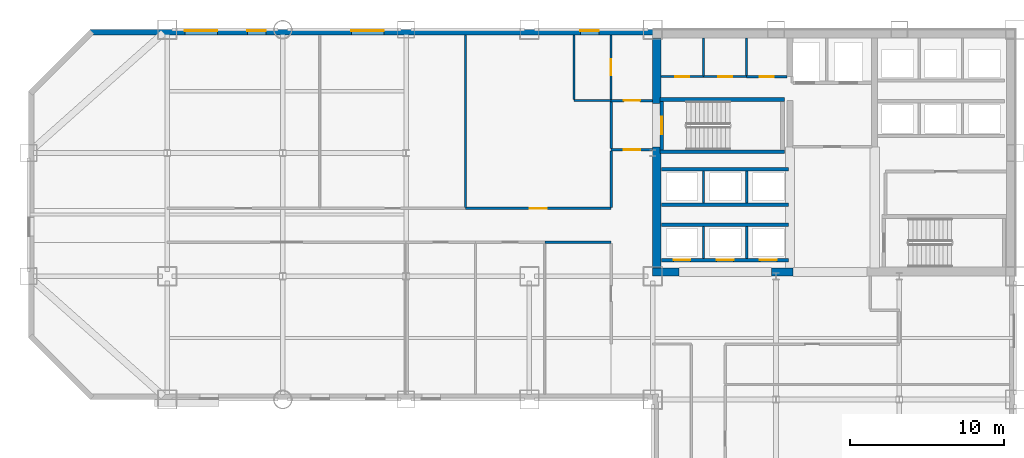
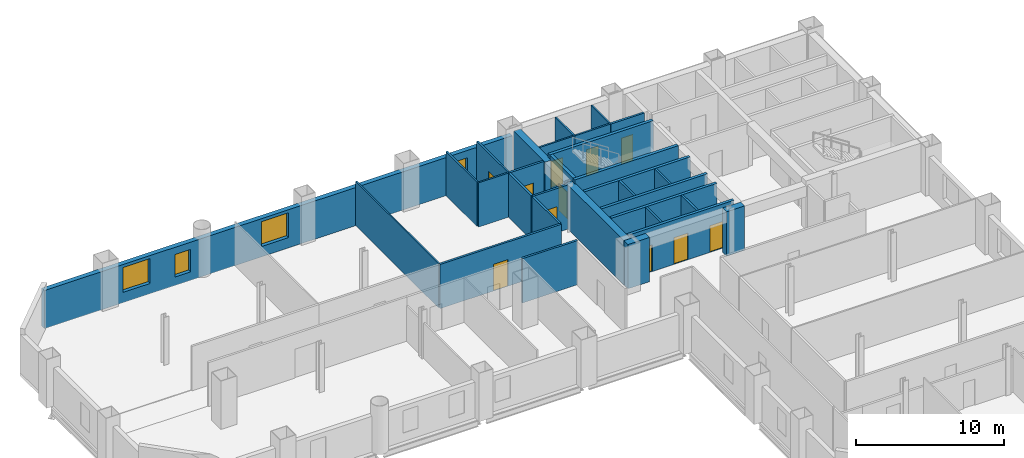
# One storey, part 6 of 9: 31 walls, 11 doors, 4 windows, 15 openings.
"""IFC4 building model written with IfcOpenShell, lengths in metres."""

import ifcopenshell
import ifcopenshell.guid

model = None  # the IFC model being written
_history = None  # IfcOwnerHistory: only IFC2X3 demands one
_inside = {}  # id of a spatial element -> (the spatial element, [elements in it])
_under = {}  # id of a project, library or spatial element -> (it, [spatial elements below it])
_declared = {}  # id of a project -> (the project, [libraries it declares])
_typed = {}  # id of a type object -> (the type object, [elements of that type])
_made_of = {}  # id of a material, layer set ... -> (it, [elements and type objects made of it])


def new_model(schema):
    """Start an empty IFC model of exactly this schema.

    Asked for "IFC4X3", IfcOpenShell would pick the latest addendum, in which some entities
    have other attributes; the version numbers below select the first issue.
    IFC2X3 requires an IfcOwnerHistory on every rooted entity: one is made here for all.
    """
    global model, _history
    if schema == "IFC4X3":
        model = ifcopenshell.file(schema_version=(4, 3, 0, 0))
    else:
        model = ifcopenshell.file(schema=schema)
    _inside.clear()
    _under.clear()
    _declared.clear()
    _typed.clear()
    _made_of.clear()
    _history = None
    if model.schema == "IFC2X3":
        org = make("IfcOrganization", Name="unknown")
        user = make(
            "IfcPersonAndOrganization",
            ThePerson=make("IfcPerson", FamilyName="unknown"),
            TheOrganization=org,
        )
        app = make(
            "IfcApplication",
            ApplicationDeveloper=org,
            Version="unknown",
            ApplicationFullName="unknown",
            ApplicationIdentifier="unknown",
        )
        _history = make(
            "IfcOwnerHistory",
            OwningUser=user,
            OwningApplication=app,
            ChangeAction="ADDED",
            CreationDate=0,
        )
    return model


def make(cls, **values):
    """One entity of the class cls with the attributes given. An attribute that is None is left unset."""
    return model.create_entity(
        cls, **{name: value for name, value in values.items() if value is not None}
    )


def rooted(cls, **values):
    """An entity with a GlobalId (a new one), such as an element, a storey or a relation."""
    return make(cls, GlobalId=ifcopenshell.guid.new(), OwnerHistory=_history, **values)


def si_unit(unit_type, name, prefix=None):
    """IfcSIUnit, for example si_unit("LENGTHUNIT", "METRE", prefix="MILLI")."""
    return make("IfcSIUnit", UnitType=unit_type, Prefix=prefix, Name=name)


def assignment(units):
    """IfcUnitAssignment: the units of a project."""
    return None if units is None else make("IfcUnitAssignment", Units=units)


def point(xyz):
    """IfcCartesianPoint."""
    return None if xyz is None else make("IfcCartesianPoint", Coordinates=xyz)


def direction(xyz):
    """IfcDirection."""
    return None if xyz is None else make("IfcDirection", DirectionRatios=xyz)


def frame(location, z_axis=None, x_axis=None):
    """IfcAxis2Placement3D, a coordinate frame: its origin and axes. An axis left out is left unset."""
    return make(
        "IfcAxis2Placement3D",
        Location=point(location),
        Axis=direction(z_axis),
        RefDirection=direction(x_axis),
    )


def frame_2d(location, x_axis=None):
    """IfcAxis2Placement2D, a coordinate frame in the plane: its origin and x axis."""
    return make(
        "IfcAxis2Placement2D", Location=point(location), RefDirection=direction(x_axis)
    )


def origin():
    """The frame at (0, 0, 0) with its axes left unset."""
    return frame((0.0, 0.0, 0.0))


def place(relative_to, where):
    """IfcLocalPlacement: puts the frame where relative to a parent placement (None: the world)."""
    return make(
        "IfcLocalPlacement", PlacementRelTo=relative_to, RelativePlacement=where
    )


def context(
    kind, dimensions, precision=None, world=None, true_north=None, identifier=None
):
    """IfcGeometricRepresentationContext, for example the 3D "Model" context."""
    return make(
        "IfcGeometricRepresentationContext",
        ContextIdentifier=identifier,
        ContextType=kind,
        CoordinateSpaceDimension=dimensions,
        Precision=precision,
        WorldCoordinateSystem=world,
        TrueNorth=true_north,
    )


def subcontext(parent, identifier, kind, view, scale=None):
    """IfcGeometricRepresentationSubContext, for example "Body" below "Model"."""
    return make(
        "IfcGeometricRepresentationSubContext",
        ContextIdentifier=identifier,
        ContextType=kind,
        ParentContext=parent,
        TargetScale=scale,
        TargetView=view,
    )


def project(units=None, contexts=None):
    """IfcProject with its units and contexts."""
    return rooted(
        "IfcProject",
        Name="project",
        RepresentationContexts=contexts,
        UnitsInContext=assignment(units),
    )


def spatial(cls, under=None, at=None, **own):
    """A site, building, storey or space (cls), placed at a placement, below another one or the project."""
    s = rooted(cls, ObjectPlacement=at, **own)
    if under is not None:
        _under.setdefault(under.id(), (under, []))[1].append(s)
    return s


def profile(cls, at=None, kind="AREA", **sizes):
    """A parametric profile (cls). Its sizes go by their IFC names, for example OverallWidth=200.0."""
    return make(cls, ProfileType=kind, Position=at, **sizes)


def rectangle(**sizes):
    """IfcRectangleProfileDef."""
    return profile("IfcRectangleProfileDef", **sizes)


def extrude(swept, where, along, depth):
    """IfcExtrudedAreaSolid: the profile swept, set in the frame where, extruded along a direction by depth."""
    return make(
        "IfcExtrudedAreaSolid",
        SweptArea=swept,
        Position=where,
        ExtrudedDirection=direction(along),
        Depth=depth,
    )


def shape(context_of_items, identifier, shape_type, items):
    """IfcShapeRepresentation: the items that make up one representation, for example the "Body"."""
    return make(
        "IfcShapeRepresentation",
        ContextOfItems=context_of_items,
        RepresentationIdentifier=identifier,
        RepresentationType=shape_type,
        Items=items,
    )


def material(Name=None, Category=None):
    """IfcMaterial."""
    return make("IfcMaterial", Name=Name, Category=Category)


def layer(
    of_material, thickness, ventilated=None, Name=None, Category=None, Priority=None
):
    """IfcMaterialLayer: one layer of a wall or slab, of a material (None: an air gap)."""
    return make(
        "IfcMaterialLayer",
        Material=of_material,
        LayerThickness=thickness,
        IsVentilated=ventilated,
        Name=Name,
        Category=Category,
        Priority=Priority,
    )


def layer_set(layers, Name=None):
    """IfcMaterialLayerSet."""
    return make("IfcMaterialLayerSet", MaterialLayers=layers, LayerSetName=Name)


def made_of(thing, what):
    """Note that an element or type object is made of a material, layer set ...; save() writes the relation."""
    if what is not None:
        _made_of.setdefault(what.id(), (what, []))[1].append(thing)
    return thing


def type_object(cls, material=None, **own):
    """A type object (cls), such as IfcWallType, which elements share."""
    return made_of(rooted(cls, **own), material)


def element(
    cls,
    number,
    at=None,
    inside=None,
    cuts=None,
    type_object=None,
    material=None,
    context=None,
    identifier="Body",
    shape_type=None,
    held_by="IfcProductDefinitionShape",
    body=None,
    shapes=None,
    **own,
):
    """One element of the class cls, such as IfcWall. Its Tag is "e" and its number.

    at: its placement. inside: the storey or other place that contains it. cuts: it is an
    opening in that element (IfcRelVoidsElement). A single representation is given by context,
    identifier, shape_type and body (its items); several are given by shapes. held_by: the class
    of the entity that holds the representations. save() writes the other relations.
    """
    e = rooted(cls, Tag="e%d" % number, ObjectPlacement=at, **own)
    if body is not None:
        shapes = [shape(context, identifier, shape_type, body)]
    if shapes is not None:
        e.Representation = make(held_by, Representations=shapes)
    if inside is not None:
        _inside.setdefault(inside.id(), (inside, []))[1].append(e)
    if cuts is not None:
        rooted(
            "IfcRelVoidsElement", RelatingBuildingElement=cuts, RelatedOpeningElement=e
        )
    if type_object is not None:
        _typed.setdefault(type_object.id(), (type_object, []))[1].append(e)
    return made_of(e, material)


def fill(opening, filler):
    """IfcRelFillsElement: the door or window that sits in an opening."""
    return rooted(
        "IfcRelFillsElement",
        RelatingOpeningElement=opening,
        RelatedBuildingElement=filler,
    )


def aggregate(whole, parts):
    """IfcRelAggregates: a whole, such as a stair, and the parts it consists of."""
    return rooted("IfcRelAggregates", RelatingObject=whole, RelatedObjects=parts)


def save(model, path):
    """Write the relations noted so far, then the file.

    IfcRelAggregates (storeys below a building ...), IfcRelContainedInSpatialStructure (elements
    in a storey), IfcRelDefinesByType, IfcRelAssociatesMaterial and IfcRelDeclares: one each for
    every whole, place, type object, material and project.
    """
    for whole, parts in _under.values():
        aggregate(whole, parts)
    for where, things in _inside.values():
        rooted(
            "IfcRelContainedInSpatialStructure",
            RelatedElements=things,
            RelatingStructure=where,
        )
    for kind, things in _typed.values():
        rooted("IfcRelDefinesByType", RelatedObjects=things, RelatingType=kind)
    for what, things in _made_of.values():
        rooted("IfcRelAssociatesMaterial", RelatedObjects=things, RelatingMaterial=what)
    for by, libraries in _declared.values():
        rooted("IfcRelDeclares", RelatingContext=by, RelatedDefinitions=libraries)
    model.write(path)


model = new_model("IFC4")

# Units and contexts
model_context = context("Model", 3, precision=1e-05, world=origin(), true_north=direction((0.0, 1.0)))
body_context = subcontext(model_context, "Body", "Model", "MODEL_VIEW")
ifc_project = project(units=[si_unit("LENGTHUNIT", "METRE"), si_unit("AREAUNIT", "SQUARE_METRE"), si_unit("VOLUMEUNIT", "CUBIC_METRE"), si_unit("PLANEANGLEUNIT", "RADIAN"), si_unit("MASSUNIT", "GRAM", prefix="KILO")], contexts=[model_context])

# Site, building, storey
site_placement = place(None, origin())
site = spatial("IfcSite", under=ifc_project, at=site_placement, CompositionType="ELEMENT")
building_placement = place(site_placement, origin())
building = spatial("IfcBuilding", under=site, at=building_placement, Name="Qianrong Seaharbour Tower", CompositionType="ELEMENT")
storey_placement = place(building_placement, frame((0.0, 0.0, 104.199951171875)))
storey = spatial("IfcBuildingStorey", under=building, at=storey_placement, Name="L25", CompositionType="ELEMENT", Elevation=104.199951171875)

# Walls
ifc_material_1 = material(Name="Concrete C70/85", Category="concrete")
ifc_layer_1 = layer(ifc_material_1, 0.5400390625)
ifc_layer_set_1 = layer_set([ifc_layer_1], Name="Concrete C70/85")
wall_type_1 = type_object("IfcWallType", Name="WALL-CORE-540", PredefinedType="SHEAR", material=ifc_layer_set_1)
wall_1_placement = place(storey_placement, frame((40.77001953125, 36.5400390625, 0.0), z_axis=(0.0, 0.0, 1.0), x_axis=(0.0, 1.0, 0.0)))
element("IfcWall", 1, at=wall_1_placement, inside=storey, type_object=wall_type_1, Name="L25 West Core Shear Wall South", PredefinedType="SHEAR", context=body_context, shape_type="SweptSolid", body=[
    extrude(rectangle(XDim=7.85986328125, YDim=0.5400390625, at=frame_2d((3.929931640625, 0.0))), origin(), (0.0, 0.0, 1.0), 3.650146484375),
])
wall_2_placement = place(storey_placement, frame((40.77001953125, 47.199951171875, 0.0), z_axis=(0.0, 0.0, 1.0), x_axis=(0.0, 1.0, 0.0)))
element("IfcWall", 2, at=wall_2_placement, inside=storey, type_object=wall_type_1, Name="L25 West Core Shear Wall North", PredefinedType="SHEAR", context=body_context, shape_type="SweptSolid", body=[
    extrude(rectangle(XDim=4.260009765625, YDim=0.5400390625, at=frame_2d((2.1298828125, 0.0))), origin(), (0.0, 0.0, 1.0), 3.650146484375),
])
wall_3_placement = place(storey_placement, frame((40.5, 36.27001953125, 0.0), z_axis=(0.0, 0.0, 1.0), x_axis=(1.0, 0.0, 0.0)))
element("IfcWall", 3, at=wall_3_placement, inside=storey, type_object=wall_type_1, Name="L25 South Core Shear Wall S1", PredefinedType="SHEAR", context=body_context, shape_type="SweptSolid", body=[
    extrude(rectangle(XDim=1.699951171875, YDim=0.5400390625, at=frame_2d((0.85009765625, 0.0))), origin(), (0.0, 0.0, 1.0), 3.650146484375),
])
wall_4_placement = place(storey_placement, frame((48.199951171875, 36.27001953125, 0.0), z_axis=(0.0, 0.0, 1.0), x_axis=(1.0, 0.0, 0.0)))
element("IfcWall", 4, at=wall_4_placement, inside=storey, type_object=wall_type_1, Name="L25 South Core Shear Wall S2", PredefinedType="SHEAR", context=body_context, shape_type="SweptSolid", body=[
    extrude(rectangle(XDim=1.400146484375, YDim=0.5400390625, at=frame_2d((0.7001953125, 0.0))), origin(), (0.0, 0.0, 1.0), 3.650146484375),
])

# Wall, opening, door
ifc_material_2 = material(Name="Fire-rated acoustic gypsum board partition")
ifc_layer_2 = layer(ifc_material_2, 0.1650390625)
ifc_layer_set_2 = layer_set([ifc_layer_2], Name="Fire-rated acoustic gypsum board partition")
wall_type_2 = type_object("IfcWallType", Name="WALL-CORR-PART-165", PredefinedType="PARTITIONING", material=ifc_layer_set_2)
wall_5_placement = place(storey_placement, frame((37.800048828125, 47.39990234375, 0.0), z_axis=(0.0, 0.0, 1.0), x_axis=(1.0, 0.0, 0.0)))
wall_5 = element("IfcWall", 5, at=wall_5_placement, inside=storey, type_object=wall_type_2, Name="L25 Interior Partition Wall 001", PredefinedType="PARTITIONING", context=body_context, shape_type="SweptSolid", body=[
    extrude(rectangle(XDim=2.699951171875, YDim=0.1650390625, at=frame_2d((1.35009765625, 0.0))), origin(), (0.0, 0.0, 1.0), 3.650146484375),
])
opening_1_placement = place(wall_5_placement, frame((0.824951171875, 0.0, 0.0)))
opening_1 = element("IfcOpeningElement", 6, at=opening_1_placement, cuts=wall_5, Name="Opening DC-01", PredefinedType="OPENING", context=body_context, shape_type="SweptSolid", body=[
    extrude(rectangle(XDim=1.050048828125, YDim=2.14990234375, at=frame_2d((0.52490234375, 1.074951171875))), frame((0.0, 0.092529296875, 0.0), z_axis=(0.0, -1.0, 0.0), x_axis=(1.0, 0.0, 0.0)), (0.0, 0.0, 1.0), 0.18505859375),
])
ifc_material_3 = material(Name="Acoustic timber and galvanized steel fire door assembly", Category="steel")
door_type_1 = type_object("IfcDoorType", Name="DOOR-CORR-FD60-1050x2150", OperationType="NOTDEFINED", PredefinedType="DOOR", material=ifc_material_3)
door_1_placement = place(opening_1_placement, origin())
door_1 = element("IfcDoor", 7, at=door_1_placement, inside=storey, type_object=door_type_1, Name="L25 Smokeproof Stair Vestibule ST-1 Door", OperationType="SINGLE_SWING_LEFT", OverallHeight=2.14990234375, OverallWidth=1.050048828125, PredefinedType="DOOR", context=body_context, shape_type="SweptSolid", body=[
    extrude(rectangle(XDim=1.050048828125, YDim=2.14990234375, at=frame_2d((0.52490234375, 1.074951171875))), frame((0.0, 0.02490234375, 0.0), z_axis=(0.0, -1.0, 0.0), x_axis=(1.0, 0.0, 0.0)), (0.0, 0.0, 1.0), 0.050048828125),
])
fill(opening_1, door_1)

wall_6_placement = place(storey_placement, frame((40.5, 44.199951171875, 0.0), z_axis=(0.0, 0.0, 1.0), x_axis=(-1.0, 0.0, 0.0)))
wall_6 = element("IfcWall", 8, at=wall_6_placement, inside=storey, type_object=wall_type_2, Name="L25 Interior Partition Wall 002", PredefinedType="PARTITIONING", context=body_context, shape_type="SweptSolid", body=[
    extrude(rectangle(XDim=2.699951171875, YDim=0.1650390625, at=frame_2d((1.35009765625, 0.0))), origin(), (0.0, 0.0, 1.0), 3.650146484375),
])
opening_2_placement = place(wall_6_placement, frame((0.824951171875, 0.0, 0.0)))
opening_2 = element("IfcOpeningElement", 9, at=opening_2_placement, cuts=wall_6, Name="Opening DC-01", PredefinedType="OPENING", context=body_context, shape_type="SweptSolid", body=[
    extrude(rectangle(XDim=1.050048828125, YDim=2.14990234375, at=frame_2d((0.52490234375, 1.074951171875))), frame((0.0, 0.092529296875, 0.0), z_axis=(0.0, -1.0, 0.0), x_axis=(1.0, 0.0, 0.0)), (0.0, 0.0, 1.0), 0.18505859375),
])
door_2_placement = place(opening_2_placement, origin())
door_2 = element("IfcDoor", 10, at=door_2_placement, inside=storey, type_object=door_type_1, Name="L25 Smokeproof Stair Vestibule ST-1 Door", OperationType="SINGLE_SWING_RIGHT", OverallHeight=2.14990234375, OverallWidth=1.050048828125, PredefinedType="DOOR", context=body_context, shape_type="SweptSolid", body=[
    extrude(rectangle(XDim=1.050048828125, YDim=2.14990234375, at=frame_2d((0.52490234375, 1.074951171875))), frame((0.0, 0.02490234375, 0.0), z_axis=(0.0, -1.0, 0.0), x_axis=(1.0, 0.0, 0.0)), (0.0, 0.0, 1.0), 0.050048828125),
])
fill(opening_2, door_2)

# Wall
wall_7_placement = place(storey_placement, frame((37.800048828125, 44.2744140625, 0.0), z_axis=(0.0, 0.0, 1.0), x_axis=(0.0, 1.0, 0.0)))
element("IfcWall", 11, at=wall_7_placement, inside=storey, type_object=wall_type_2, Name="L25 Interior Partition Wall 003", PredefinedType="PARTITIONING", context=body_context, shape_type="SweptSolid", body=[
    extrude(rectangle(XDim=3.051025390625, YDim=0.1650390625, at=frame_2d((1.525390625, 0.0))), origin(), (0.0, 0.0, 1.0), 3.650146484375),
])

# Wall, opening, door
wall_8_placement = place(storey_placement, frame((46.60009765625, 48.949951171875, 0.0), z_axis=(0.0, 0.0, 1.0), x_axis=(1.0, 0.0, 0.0)))
wall_8 = element("IfcWall", 12, at=wall_8_placement, inside=storey, type_object=wall_type_2, Name="L25 Interior Partition Wall 009", PredefinedType="PARTITIONING", context=body_context, shape_type="SweptSolid", body=[
    extrude(rectangle(XDim=2.617919921875, YDim=0.1650390625, at=frame_2d((1.30908203125, 0.0))), origin(), (0.0, 0.0, 1.0), 3.650146484375),
])
opening_3_placement = place(wall_8_placement, frame((0.85888671875, 0.0, 0.0)))
opening_3 = element("IfcOpeningElement", 13, at=opening_3_placement, cuts=wall_8, Name="Opening DS-01", PredefinedType="OPENING", context=body_context, shape_type="SweptSolid", body=[
    extrude(rectangle(XDim=0.89990234375, YDim=2.14990234375, at=frame_2d((0.449951171875, 1.074951171875))), frame((0.0, 0.092529296875, 0.0), z_axis=(0.0, -1.0, 0.0), x_axis=(1.0, 0.0, 0.0)), (0.0, 0.0, 1.0), 0.18505859375),
])
door_type_2 = type_object("IfcDoorType", Name="DOOR-STORE-900x2150", OperationType="NOTDEFINED", PredefinedType="DOOR", material=ifc_material_3)
door_3_placement = place(opening_3_placement, origin())
door_3 = element("IfcDoor", 14, at=door_3_placement, inside=storey, type_object=door_type_2, Name="L25 Cleaner Store Room Door", OperationType="SINGLE_SWING_LEFT", OverallHeight=2.14990234375, OverallWidth=0.89990234375, PredefinedType="DOOR", context=body_context, shape_type="SweptSolid", body=[
    extrude(rectangle(XDim=0.89990234375, YDim=2.14990234375, at=frame_2d((0.449951171875, 1.074951171875))), frame((0.0, 0.02490234375, 0.0), z_axis=(0.0, -1.0, 0.0), x_axis=(1.0, 0.0, 0.0)), (0.0, 0.0, 1.0), 0.050048828125),
])
fill(opening_3, door_3)

wall_9_placement = place(storey_placement, frame((28.35009765625, 40.39990234375, 0.0), z_axis=(0.0, 0.0, 1.0), x_axis=(1.0, 0.0, 0.0)))
wall_9 = element("IfcWall", 15, at=wall_9_placement, inside=storey, type_object=wall_type_2, Name="L25 Interior Partition Wall 017", PredefinedType="PARTITIONING", context=body_context, shape_type="SweptSolid", body=[
    extrude(rectangle(XDim=9.449951171875, YDim=0.1650390625, at=frame_2d((4.72509765625, 0.0))), origin(), (0.0, 0.0, 1.0), 3.650146484375),
])
opening_4_placement = place(wall_9_placement, frame((4.175048828125, 0.0, 0.0)))
opening_4 = element("IfcOpeningElement", 16, at=opening_4_placement, cuts=wall_9, Name="Opening DM-01", PredefinedType="OPENING", context=body_context, shape_type="SweptSolid", body=[
    extrude(rectangle(XDim=1.10009765625, YDim=2.199951171875, at=frame_2d((0.550048828125, 1.10009765625))), frame((0.0, 0.092529296875, 0.0), z_axis=(0.0, -1.0, 0.0), x_axis=(1.0, 0.0, 0.0)), (0.0, 0.0, 1.0), 0.18505859375),
])
door_type_3 = type_object("IfcDoorType", Name="DOOR-MEET-1100x2200", OperationType="NOTDEFINED", PredefinedType="DOOR", material=ifc_material_3)
door_4_placement = place(opening_4_placement, origin())
door_4 = element("IfcDoor", 17, at=door_4_placement, inside=storey, type_object=door_type_3, Name="L25 Boardroom 2 Door", OperationType="SINGLE_SWING_RIGHT", OverallHeight=2.199951171875, OverallWidth=1.10009765625, PredefinedType="DOOR", context=body_context, shape_type="SweptSolid", body=[
    extrude(rectangle(XDim=1.10009765625, YDim=2.199951171875, at=frame_2d((0.550048828125, 1.10009765625))), frame((0.0, 0.02490234375, 0.0), z_axis=(0.0, -1.0, 0.0), x_axis=(1.0, 0.0, 0.0)), (0.0, 0.0, 1.0), 0.050048828125),
])
fill(opening_4, door_4)

# Walls
wall_10_placement = place(storey_placement, frame((37.800048828125, 38.199951171875, 0.0), z_axis=(0.0, 0.0, 1.0), x_axis=(-1.0, 0.0, 0.0)))
element("IfcWall", 18, at=wall_10_placement, inside=storey, type_object=wall_type_2, Name="L25 Interior Partition Wall 021", PredefinedType="PARTITIONING", context=body_context, shape_type="SweptSolid", body=[
    extrude(rectangle(XDim=4.300048828125, YDim=0.1650390625, at=frame_2d((2.14990234375, 0.0))), origin(), (0.0, 0.0, 1.0), 3.650146484375),
])
wall_11_placement = place(storey_placement, frame((37.800048828125, 40.474609375, 0.0), z_axis=(0.0, 0.0, 1.0), x_axis=(0.0, 1.0, 0.0)))
element("IfcWall", 19, at=wall_11_placement, inside=storey, type_object=wall_type_2, Name="L25 Interior Partition Wall 022", PredefinedType="PARTITIONING", context=body_context, shape_type="SweptSolid", body=[
    extrude(rectangle(XDim=3.65087890625, YDim=0.1650390625, at=frame_2d((1.825439453125, 0.0))), origin(), (0.0, 0.0, 1.0), 3.650146484375),
])
ifc_material_4 = material(Name="Demountable aluminium-framed acoustic office partition", Category="aluminium")
ifc_layer_3 = layer(ifc_material_4, 0.110107421875)
ifc_layer_set_3 = layer_set([ifc_layer_3], Name="Demountable aluminium-framed acoustic office partition")
wall_type_3 = type_object("IfcWallType", Name="WALL-DEMOUNT-110", PredefinedType="MOVABLE", material=ifc_layer_set_3)
wall_12_placement = place(storey_placement, frame((28.35009765625, 51.64794921875, 0.0), z_axis=(0.0, 0.0, 1.0), x_axis=(0.0, -1.0, 0.0)))
element("IfcWall", 20, at=wall_12_placement, inside=storey, type_object=wall_type_3, Name="L25 Interior Partition Wall 039", PredefinedType="MOVABLE", context=body_context, shape_type="SweptSolid", body=[
    extrude(rectangle(XDim=11.17333984375, YDim=0.110107421875, at=frame_2d((5.586669921875, 0.0))), origin(), (0.0, 0.0, 1.0), 3.650146484375),
])

# Wall, openings, windows
ifc_material_5 = material(Name="Unitised red brick on Precast concrete C45/55", Category="masonry")
ifc_layer_4 = layer(ifc_material_5, 0.360107421875)
ifc_layer_set_4 = layer_set([ifc_layer_4], Name="Unitised red brick on Precast concrete C45/55")
wall_type_4 = type_object("IfcWallType", Name="WALL-EXT-BRICK-RED-360", PredefinedType="SOLIDWALL", material=ifc_layer_set_4)
wall_13_placement = place(storey_placement, frame((4.0, 51.820068359375, 0.0), z_axis=(0.0, 0.0, 1.0), x_axis=(1.0, 0.0, 0.0)))
wall_13 = element("IfcWall", 21, at=wall_13_placement, inside=storey, type_object=wall_type_4, Name="L25 Exterior Masonry Facade Wall NORTH_WING", PredefinedType="SOLIDWALL", context=body_context, shape_type="SweptSolid", body=[
    extrude(rectangle(XDim=36.52001953125, YDim=0.360107421875, at=frame_2d((18.260009765625, 0.0))), origin(), (0.0, 0.0, 1.0), 3.150146484375),
])
opening_5_placement = place(wall_13_placement, frame((6.14990234375, 0.0, 0.85009765625)))
opening_5 = element("IfcOpeningElement", 22, at=opening_5_placement, cuts=wall_13, Name="Opening WN-06", PredefinedType="OPENING", context=body_context, shape_type="SweptSolid", body=[
    extrude(rectangle(XDim=2.10009765625, YDim=2.050048828125, at=frame_2d((1.050048828125, 1.02490234375))), frame((0.0, 0.18994140625, 0.0), z_axis=(0.0, -1.0, 0.0), x_axis=(1.0, 0.0, 0.0)), (0.0, 0.0, 1.0), 0.380126953125),
])
opening_6_placement = place(wall_13_placement, frame((10.199951171875, 0.0, 0.699951171875)))
opening_6 = element("IfcOpeningElement", 23, at=opening_6_placement, cuts=wall_13, Name="Opening WN-01", PredefinedType="OPENING", context=body_context, shape_type="SweptSolid", body=[
    extrude(rectangle(XDim=1.199951171875, YDim=1.85009765625, at=frame_2d((0.60009765625, 0.925048828125))), frame((0.0, 0.18994140625, 0.0), z_axis=(0.0, -1.0, 0.0), x_axis=(1.0, 0.0, 0.0)), (0.0, 0.0, 1.0), 0.380126953125),
])
opening_7_placement = place(wall_13_placement, frame((16.949951171875, 0.0, 0.85009765625)))
opening_7 = element("IfcOpeningElement", 24, at=opening_7_placement, cuts=wall_13, Name="Opening WN-06", PredefinedType="OPENING", context=body_context, shape_type="SweptSolid", body=[
    extrude(rectangle(XDim=2.10009765625, YDim=2.050048828125, at=frame_2d((1.050048828125, 1.02490234375))), frame((0.0, 0.18994140625, 0.0), z_axis=(0.0, -1.0, 0.0), x_axis=(1.0, 0.0, 0.0)), (0.0, 0.0, 1.0), 0.380126953125),
])
opening_8_placement = place(wall_13_placement, frame((31.800048828125, 0.0, 0.699951171875)))
opening_8 = element("IfcOpeningElement", 25, at=opening_8_placement, cuts=wall_13, Name="Opening WN-01", PredefinedType="OPENING", context=body_context, shape_type="SweptSolid", body=[
    extrude(rectangle(XDim=1.199951171875, YDim=1.85009765625, at=frame_2d((0.60009765625, 0.925048828125))), frame((0.0, 0.18994140625, 0.0), z_axis=(0.0, -1.0, 0.0), x_axis=(1.0, 0.0, 0.0)), (0.0, 0.0, 1.0), 0.380126953125),
])
ifc_material_6 = material(Name="Insulated low-e double glazing in thermally broken aluminium 6063-T6 frame", Category="aluminium")
window_type_1 = type_object("IfcWindowType", Name="WIN-PUNCH-1200x1850", PartitioningType="DOUBLE_PANEL_VERTICAL", PredefinedType="WINDOW", material=ifc_material_6)
window_1_placement = place(opening_6_placement, origin())
window_1 = element("IfcWindow", 26, at=window_1_placement, inside=storey, type_object=window_type_1, Name="L25 Deep-Set Punched Window 05.03", OverallHeight=1.85009765625, OverallWidth=1.199951171875, PartitioningType="DOUBLE_PANEL_VERTICAL", PredefinedType="WINDOW", context=body_context, shape_type="SweptSolid", body=[
    extrude(rectangle(XDim=1.199951171875, YDim=1.85009765625, at=frame_2d((0.60009765625, 0.925048828125))), frame((0.0, 0.150146484375, 0.0), z_axis=(0.0, -1.0, 0.0), x_axis=(1.0, 0.0, 0.0)), (0.0, 0.0, 1.0), 0.06005859375),
])
fill(opening_6, window_1)
window_2_placement = place(opening_8_placement, origin())
window_2 = element("IfcWindow", 27, at=window_2_placement, inside=storey, type_object=window_type_1, Name="L25 Deep-Set Punched Window 05.09", OverallHeight=1.85009765625, OverallWidth=1.199951171875, PartitioningType="DOUBLE_PANEL_VERTICAL", PredefinedType="WINDOW", context=body_context, shape_type="SweptSolid", body=[
    extrude(rectangle(XDim=1.199951171875, YDim=1.85009765625, at=frame_2d((0.60009765625, 0.925048828125))), frame((0.0, 0.150146484375, 0.0), z_axis=(0.0, -1.0, 0.0), x_axis=(1.0, 0.0, 0.0)), (0.0, 0.0, 1.0), 0.06005859375),
])
fill(opening_8, window_2)
window_type_2 = type_object("IfcWindowType", Name="WIN-PUNCH-2100x2050", PartitioningType="TRIPLE_PANEL_VERTICAL", PredefinedType="WINDOW", material=ifc_material_6)
window_3_placement = place(opening_5_placement, origin())
window_3 = element("IfcWindow", 28, at=window_3_placement, inside=storey, type_object=window_type_2, Name="L25 Deep-Set Punched Window 05.02", OverallHeight=2.050048828125, OverallWidth=2.10009765625, PartitioningType="TRIPLE_PANEL_VERTICAL", PredefinedType="WINDOW", context=body_context, shape_type="SweptSolid", body=[
    extrude(rectangle(XDim=2.10009765625, YDim=2.050048828125, at=frame_2d((1.050048828125, 1.02490234375))), frame((0.0, 0.150146484375, 0.0), z_axis=(0.0, -1.0, 0.0), x_axis=(1.0, 0.0, 0.0)), (0.0, 0.0, 1.0), 0.06005859375),
])
fill(opening_5, window_3)
window_4_placement = place(opening_7_placement, origin())
window_4 = element("IfcWindow", 29, at=window_4_placement, inside=storey, type_object=window_type_2, Name="L25 Deep-Set Punched Window 05.05", OverallHeight=2.050048828125, OverallWidth=2.10009765625, PartitioningType="TRIPLE_PANEL_VERTICAL", PredefinedType="WINDOW", context=body_context, shape_type="SweptSolid", body=[
    extrude(rectangle(XDim=2.10009765625, YDim=2.050048828125, at=frame_2d((1.050048828125, 1.02490234375))), frame((0.0, 0.150146484375, 0.0), z_axis=(0.0, -1.0, 0.0), x_axis=(1.0, 0.0, 0.0)), (0.0, 0.0, 1.0), 0.06005859375),
])
fill(opening_7, window_4)

# Walls
ifc_material_7 = material(Name="Fire-rated gypsum board on steel studs", Category="steel")
ifc_layer_5 = layer(ifc_material_7, 0.14990234375)
ifc_layer_set_5 = layer_set([ifc_layer_5], Name="Fire-rated gypsum board on steel studs")
wall_type_5 = type_object("IfcWallType", Name="WALL-SHAFT-DIV-150", PredefinedType="PARTITIONING", material=ifc_layer_set_5)
for number, where, z_axis, x_axis, name in (
    (30, (43.800048828125, 37.159912109375, 0.0), (0.0, 0.0, 1.0), (0.0, 1.0, 0.0), "L25 P1 Lift Hoistway Divider 2"),
    (31, (46.60009765625, 37.159912109375, 0.0), (0.0, 0.0, 1.0), (0.0, 1.0, 0.0), "L25 P1 Lift Hoistway Divider 3"),
    (32, (43.800048828125, 40.760009765625, 0.0), (0.0, 0.0, 1.0), (0.0, 1.0, 0.0), "L25 P2 Lift Hoistway Divider 2"),
    (33, (46.60009765625, 40.760009765625, 0.0), (0.0, 0.0, 1.0), (0.0, 1.0, 0.0), "L25 P2 Lift Hoistway Divider 3"),
):
    element("IfcWall", number, at=place(storey_placement, frame(where, z_axis=z_axis, x_axis=x_axis)), inside=storey, type_object=wall_type_5, Name=name, PredefinedType="PARTITIONING", context=body_context, shape_type="SweptSolid", body=[
        extrude(rectangle(XDim=2.080078125, YDim=0.14990234375, at=frame_2d((1.0400390625, 0.0))), origin(), (0.0, 0.0, 1.0), 3.650146484375),
    ])

# Wall, openings, doors
ifc_layer_6 = layer(ifc_material_7, 0.219970703125)
ifc_layer_set_6 = layer_set([ifc_layer_6], Name="Fire-rated gypsum board on steel studs")
wall_type_6 = type_object("IfcWallType", Name="WALL-SHAFT-GYP220", PredefinedType="PARTITIONING", material=ifc_layer_set_6)
wall_14_placement = place(storey_placement, frame((49.320068359375, 37.050048828125, 0.0), z_axis=(0.0, 0.0, 1.0), x_axis=(-1.0, 0.0, 0.0)))
wall_14 = element("IfcWall", 34, at=wall_14_placement, inside=storey, type_object=wall_type_6, Name="L25 P1 Lift Hoistway Front Wall", PredefinedType="PARTITIONING", context=body_context, shape_type="SweptSolid", body=[
    extrude(rectangle(XDim=8.239990234375, YDim=0.219970703125, at=frame_2d((4.1201171875, 0.0))), origin(), (0.0, 0.0, 1.0), 3.650146484375),
])
opening_9_placement = place(wall_14_placement, frame((6.3701171875, 0.0, 0.0)))
opening_9 = element("IfcOpeningElement", 35, at=opening_9_placement, cuts=wall_14, Name="Opening LD-02", PredefinedType="OPENING", context=body_context, shape_type="SweptSolid", body=[
    extrude(rectangle(XDim=1.10009765625, YDim=2.199951171875, at=frame_2d((0.550048828125, 1.10009765625))), frame((0.0, 0.1201171875, 0.0), z_axis=(0.0, -1.0, 0.0), x_axis=(1.0, 0.0, 0.0)), (0.0, 0.0, 1.0), 0.239990234375),
])
opening_10_placement = place(wall_14_placement, frame((3.570068359375, 0.0, 0.0)))
opening_10 = element("IfcOpeningElement", 36, at=opening_10_placement, cuts=wall_14, Name="Opening LD-02", PredefinedType="OPENING", context=body_context, shape_type="SweptSolid", body=[
    extrude(rectangle(XDim=1.10009765625, YDim=2.199951171875, at=frame_2d((0.550048828125, 1.10009765625))), frame((0.0, 0.1201171875, 0.0), z_axis=(0.0, -1.0, 0.0), x_axis=(1.0, 0.0, 0.0)), (0.0, 0.0, 1.0), 0.239990234375),
])
opening_11_placement = place(wall_14_placement, frame((0.77001953125, 0.0, 0.0)))
opening_11 = element("IfcOpeningElement", 37, at=opening_11_placement, cuts=wall_14, Name="Opening LD-02", PredefinedType="OPENING", context=body_context, shape_type="SweptSolid", body=[
    extrude(rectangle(XDim=1.10009765625, YDim=2.199951171875, at=frame_2d((0.550048828125, 1.10009765625))), frame((0.0, 0.1201171875, 0.0), z_axis=(0.0, -1.0, 0.0), x_axis=(1.0, 0.0, 0.0)), (0.0, 0.0, 1.0), 0.239990234375),
])
ifc_material_8 = material(Name="Stainless steel SUS316L bi-parting lift landing door", Category="steel")
door_type_4 = type_object("IfcDoorType", Name="DOOR-LIFT-PASS-1100x2200", OperationType="DOUBLE_DOOR_SLIDING", PredefinedType="DOOR", material=ifc_material_8)
door_5_placement = place(opening_9_placement, origin())
door_5 = element("IfcDoor", 38, at=door_5_placement, inside=storey, type_object=door_type_4, Name="L25 PL-1A Lift Landing Door", OperationType="DOUBLE_DOOR_SLIDING", OverallHeight=2.199951171875, OverallWidth=1.10009765625, PredefinedType="DOOR", context=body_context, shape_type="SweptSolid", body=[
    extrude(rectangle(XDim=1.10009765625, YDim=2.199951171875, at=frame_2d((0.550048828125, 1.10009765625))), frame((0.0, 0.02490234375, 0.0), z_axis=(0.0, -1.0, 0.0), x_axis=(1.0, 0.0, 0.0)), (0.0, 0.0, 1.0), 0.050048828125),
])
fill(opening_9, door_5)
door_6_placement = place(opening_10_placement, origin())
door_6 = element("IfcDoor", 39, at=door_6_placement, inside=storey, type_object=door_type_4, Name="L25 PL-1B Lift Landing Door", OperationType="DOUBLE_DOOR_SLIDING", OverallHeight=2.199951171875, OverallWidth=1.10009765625, PredefinedType="DOOR", context=body_context, shape_type="SweptSolid", body=[
    extrude(rectangle(XDim=1.10009765625, YDim=2.199951171875, at=frame_2d((0.550048828125, 1.10009765625))), frame((0.0, 0.02490234375, 0.0), z_axis=(0.0, -1.0, 0.0), x_axis=(1.0, 0.0, 0.0)), (0.0, 0.0, 1.0), 0.050048828125),
])
fill(opening_10, door_6)
door_7_placement = place(opening_11_placement, origin())
door_7 = element("IfcDoor", 40, at=door_7_placement, inside=storey, type_object=door_type_4, Name="L25 PL-1C Lift Landing Door", OperationType="DOUBLE_DOOR_SLIDING", OverallHeight=2.199951171875, OverallWidth=1.10009765625, PredefinedType="DOOR", context=body_context, shape_type="SweptSolid", body=[
    extrude(rectangle(XDim=1.10009765625, YDim=2.199951171875, at=frame_2d((0.550048828125, 1.10009765625))), frame((0.0, 0.02490234375, 0.0), z_axis=(0.0, -1.0, 0.0), x_axis=(1.0, 0.0, 0.0)), (0.0, 0.0, 1.0), 0.050048828125),
])
fill(opening_11, door_7)

# Walls
for number, where, z_axis, x_axis, name in (
    (41, (41.080078125, 39.35009765625, 0.0), (0.0, 0.0, 1.0), (1.0, 0.0, 0.0), "L25 P1 Lift Hoistway Back Wall"),
    (42, (49.320068359375, 40.64990234375, 0.0), (0.0, 0.0, 1.0), (-1.0, 0.0, 0.0), "L25 P2 Lift Hoistway Front Wall"),
    (43, (41.080078125, 42.949951171875, 0.0), (0.0, 0.0, 1.0), (1.0, 0.0, 0.0), "L25 P2 Lift Hoistway Back Wall"),
):
    element("IfcWall", number, at=place(storey_placement, frame(where, z_axis=z_axis, x_axis=x_axis)), inside=storey, type_object=wall_type_6, Name=name, PredefinedType="PARTITIONING", context=body_context, shape_type="SweptSolid", body=[
        extrude(rectangle(XDim=8.239990234375, YDim=0.219970703125, at=frame_2d((4.1201171875, 0.0))), origin(), (0.0, 0.0, 1.0), 3.650146484375),
    ])
ifc_material_9 = material(Name="Concrete C50/60", Category="concrete")
ifc_layer_7 = layer(ifc_material_9, 0.239990234375)
ifc_layer_set_7 = layer_set([ifc_layer_7], Name="Concrete C50/60")
wall_type_7 = type_object("IfcWallType", Name="WALL-SHAFT-RC240", PredefinedType="SOLIDWALL", material=ifc_layer_set_7)
for number, where, z_axis, x_axis, name in (
    (44, (40.9599609375, 47.469970703125, 0.0), (0.0, 0.0, 1.0), (1.0, 0.0, 0.0), "L25 ST-1 Structural Stair Core Wall N"),
    (45, (49.0400390625, 44.080078125, 0.0), (0.0, 0.0, 1.0), (-1.0, 0.0, 0.0), "L25 ST-1 Structural Stair Core Wall S"),
):
    element("IfcWall", number, at=place(storey_placement, frame(where, z_axis=z_axis, x_axis=x_axis)), inside=storey, type_object=wall_type_7, Name=name, PredefinedType="SOLIDWALL", context=body_context, shape_type="SweptSolid", body=[
        extrude(rectangle(XDim=8.080078125, YDim=0.239990234375, at=frame_2d((4.0400390625, 0.0))), origin(), (0.0, 0.0, 1.0), 4.0),
    ])

# Wall, opening, door
wall_15_placement = place(storey_placement, frame((41.080078125, 47.35009765625, 0.0), z_axis=(0.0, 0.0, 1.0), x_axis=(0.0, -1.0, 0.0)))
wall_15 = element("IfcWall", 46, at=wall_15_placement, inside=storey, type_object=wall_type_7, Name="L25 ST-1 Structural Stair Core Wall W", PredefinedType="SOLIDWALL", context=body_context, shape_type="SweptSolid", body=[
    extrude(rectangle(XDim=3.150146484375, YDim=0.239990234375, at=frame_2d((1.5751953125, 0.0))), origin(), (0.0, 0.0, 1.0), 4.0),
])
opening_12_placement = place(wall_15_placement, frame((1.0, 0.0, 0.0)))
opening_12 = element("IfcOpeningElement", 47, at=opening_12_placement, cuts=wall_15, Name="Opening SD-01", PredefinedType="OPENING", context=body_context, shape_type="SweptSolid", body=[
    extrude(rectangle(XDim=1.14990234375, YDim=2.199951171875, at=frame_2d((0.574951171875, 1.10009765625))), frame((0.0, 0.1298828125, 0.0), z_axis=(0.0, -1.0, 0.0), x_axis=(1.0, 0.0, 0.0)), (0.0, 0.0, 1.0), 0.260009765625),
])
door_type_5 = type_object("IfcDoorType", Name="DOOR-STAIR-FD60-1150x2200", OperationType="NOTDEFINED", PredefinedType="DOOR", material=ifc_material_3)
door_8_placement = place(opening_12_placement, origin())
door_8 = element("IfcDoor", 48, at=door_8_placement, inside=storey, type_object=door_type_5, Name="L25 ST-1 Protected Stair Door", OperationType="SINGLE_SWING_RIGHT", OverallHeight=2.199951171875, OverallWidth=1.14990234375, PredefinedType="DOOR", context=body_context, shape_type="SweptSolid", body=[
    extrude(rectangle(XDim=1.14990234375, YDim=2.199951171875, at=frame_2d((0.574951171875, 1.10009765625))), frame((0.0, 0.02490234375, 0.0), z_axis=(0.0, -1.0, 0.0), x_axis=(1.0, 0.0, 0.0)), (0.0, 0.0, 1.0), 0.050048828125),
])
fill(opening_12, door_8)

ifc_material_10 = material(Name="Water-resistant cement board sanitary partition")
ifc_layer_8 = layer(ifc_material_10, 0.1298828125)
ifc_layer_set_8 = layer_set([ifc_layer_8], Name="Water-resistant cement board sanitary partition")
wall_type_8 = type_object("IfcWallType", Name="WALL-WET-PART-130", PredefinedType="PARTITIONING", material=ifc_layer_set_8)
wall_16_placement = place(storey_placement, frame((37.800048828125, 47.474609375, 0.0), z_axis=(0.0, 0.0, 1.0), x_axis=(0.0, 1.0, 0.0)))
wall_16 = element("IfcWall", 49, at=wall_16_placement, inside=storey, type_object=wall_type_8, Name="L25 Interior Partition Wall 004", PredefinedType="PARTITIONING", context=body_context, shape_type="SweptSolid", body=[
    extrude(rectangle(XDim=4.17333984375, YDim=0.1298828125, at=frame_2d((2.086669921875, 0.0))), origin(), (0.0, 0.0, 1.0), 3.650146484375),
])
opening_13_placement = place(wall_16_placement, frame((1.57666015625, 0.0, 0.0)))
opening_13 = element("IfcOpeningElement", 50, at=opening_13_placement, cuts=wall_16, Name="Opening DAW-01", PredefinedType="OPENING", context=body_context, shape_type="SweptSolid", body=[
    extrude(rectangle(XDim=1.02001953125, YDim=2.14990234375, at=frame_2d((0.510009765625, 1.074951171875))), frame((0.0, 0.074951171875, 0.0), z_axis=(0.0, -1.0, 0.0), x_axis=(1.0, 0.0, 0.0)), (0.0, 0.0, 1.0), 0.14990234375),
])
door_type_6 = type_object("IfcDoorType", Name="DOOR-AWC-SLIDE-1020x2150", OperationType="SLIDING_TO_LEFT", PredefinedType="DOOR", material=ifc_material_3)
door_9_placement = place(opening_13_placement, origin())
door_9 = element("IfcDoor", 51, at=door_9_placement, inside=storey, type_object=door_type_6, Name="L25 Accessible Restroom WC Door", OperationType="SLIDING_TO_LEFT", OverallHeight=2.14990234375, OverallWidth=1.02001953125, PredefinedType="DOOR", context=body_context, shape_type="SweptSolid", body=[
    extrude(rectangle(XDim=1.02001953125, YDim=2.14990234375, at=frame_2d((0.510009765625, 1.074951171875))), frame((0.0, 0.02490234375, 0.0), z_axis=(0.0, -1.0, 0.0), x_axis=(1.0, 0.0, 0.0)), (0.0, 0.0, 1.0), 0.050048828125),
])
fill(opening_13, door_9)

# Walls
wall_17_placement = place(storey_placement, frame((37.800048828125, 47.39990234375, 0.0), z_axis=(0.0, 0.0, 1.0), x_axis=(-1.0, 0.0, 0.0)))
element("IfcWall", 52, at=wall_17_placement, inside=storey, type_object=wall_type_8, Name="L25 Interior Partition Wall 005", PredefinedType="PARTITIONING", context=body_context, shape_type="SweptSolid", body=[
    extrude(rectangle(XDim=2.400146484375, YDim=0.1298828125, at=frame_2d((1.2001953125, 0.0))), origin(), (0.0, 0.0, 1.0), 3.650146484375),
])
wall_18_placement = place(storey_placement, frame((35.39990234375, 47.45703125, 0.0), z_axis=(0.0, 0.0, 1.0), x_axis=(0.0, 1.0, 0.0)))
element("IfcWall", 53, at=wall_18_placement, inside=storey, type_object=wall_type_8, Name="L25 Interior Partition Wall 006", PredefinedType="PARTITIONING", context=body_context, shape_type="SweptSolid", body=[
    extrude(rectangle(XDim=4.19091796875, YDim=0.1298828125, at=frame_2d((2.095458984375, 0.0))), origin(), (0.0, 0.0, 1.0), 3.650146484375),
])

# Wall, opening, door
wall_19_placement = place(storey_placement, frame((41.0400390625, 48.949951171875, 0.0), z_axis=(0.0, 0.0, 1.0), x_axis=(1.0, 0.0, 0.0)))
wall_19 = element("IfcWall", 54, at=wall_19_placement, inside=storey, type_object=wall_type_8, Name="L25 Interior Partition Wall 007", PredefinedType="PARTITIONING", context=body_context, shape_type="SweptSolid", body=[
    extrude(rectangle(XDim=2.760009765625, YDim=0.1298828125, at=frame_2d((1.3798828125, 0.0))), origin(), (0.0, 0.0, 1.0), 3.650146484375),
])
opening_14_placement = place(wall_19_placement, frame((0.919921875, 0.0, 0.0)))
opening_14 = element("IfcOpeningElement", 55, at=opening_14_placement, cuts=wall_19, Name="Opening DW-01", PredefinedType="OPENING", context=body_context, shape_type="SweptSolid", body=[
    extrude(rectangle(XDim=0.919921875, YDim=2.14990234375, at=frame_2d((0.4599609375, 1.074951171875))), frame((0.0, 0.074951171875, 0.0), z_axis=(0.0, -1.0, 0.0), x_axis=(1.0, 0.0, 0.0)), (0.0, 0.0, 1.0), 0.14990234375),
])
door_type_7 = type_object("IfcDoorType", Name="DOOR-WC-920x2150", OperationType="NOTDEFINED", PredefinedType="DOOR", material=ifc_material_3)
door_10_placement = place(opening_14_placement, origin())
door_10 = element("IfcDoor", 56, at=door_10_placement, inside=storey, type_object=door_type_7, Name="L25 Male Restroom WC Door", OperationType="SINGLE_SWING_LEFT", OverallHeight=2.14990234375, OverallWidth=0.919921875, PredefinedType="DOOR", context=body_context, shape_type="SweptSolid", body=[
    extrude(rectangle(XDim=0.919921875, YDim=2.14990234375, at=frame_2d((0.4599609375, 1.074951171875))), frame((0.0, 0.02490234375, 0.0), z_axis=(0.0, -1.0, 0.0), x_axis=(1.0, 0.0, 0.0)), (0.0, 0.0, 1.0), 0.050048828125),
])
fill(opening_14, door_10)

wall_20_placement = place(storey_placement, frame((43.800048828125, 48.949951171875, 0.0), z_axis=(0.0, 0.0, 1.0), x_axis=(1.0, 0.0, 0.0)))
wall_20 = element("IfcWall", 57, at=wall_20_placement, inside=storey, type_object=wall_type_8, Name="L25 Interior Partition Wall 008", PredefinedType="PARTITIONING", context=body_context, shape_type="SweptSolid", body=[
    extrude(rectangle(XDim=2.800048828125, YDim=0.1298828125, at=frame_2d((1.39990234375, 0.0))), origin(), (0.0, 0.0, 1.0), 3.650146484375),
])
opening_15_placement = place(wall_20_placement, frame((0.93994140625, 0.0, 0.0)))
opening_15 = element("IfcOpeningElement", 58, at=opening_15_placement, cuts=wall_20, Name="Opening DW-01", PredefinedType="OPENING", context=body_context, shape_type="SweptSolid", body=[
    extrude(rectangle(XDim=0.919921875, YDim=2.14990234375, at=frame_2d((0.4599609375, 1.074951171875))), frame((0.0, 0.074951171875, 0.0), z_axis=(0.0, -1.0, 0.0), x_axis=(1.0, 0.0, 0.0)), (0.0, 0.0, 1.0), 0.14990234375),
])
door_11_placement = place(opening_15_placement, origin())
door_11 = element("IfcDoor", 59, at=door_11_placement, inside=storey, type_object=door_type_7, Name="L25 Female Restroom WC Door", OperationType="SINGLE_SWING_RIGHT", OverallHeight=2.14990234375, OverallWidth=0.919921875, PredefinedType="DOOR", context=body_context, shape_type="SweptSolid", body=[
    extrude(rectangle(XDim=0.919921875, YDim=2.14990234375, at=frame_2d((0.4599609375, 1.074951171875))), frame((0.0, 0.02490234375, 0.0), z_axis=(0.0, -1.0, 0.0), x_axis=(1.0, 0.0, 0.0)), (0.0, 0.0, 1.0), 0.050048828125),
])
fill(opening_15, door_11)

# Walls
wall_21_placement = place(storey_placement, frame((43.800048828125, 51.4599609375, 0.0), z_axis=(0.0, 0.0, 1.0), x_axis=(0.0, -1.0, 0.0)))
element("IfcWall", 60, at=wall_21_placement, inside=storey, type_object=wall_type_8, Name="L25 Interior Partition Wall 013", PredefinedType="PARTITIONING", context=body_context, shape_type="SweptSolid", body=[
    extrude(rectangle(XDim=2.452880859375, YDim=0.1298828125, at=frame_2d((1.2265625, 0.0))), origin(), (0.0, 0.0, 1.0), 3.650146484375),
])
wall_22_placement = place(storey_placement, frame((46.60009765625, 51.4599609375, 0.0), z_axis=(0.0, 0.0, 1.0), x_axis=(0.0, -1.0, 0.0)))
element("IfcWall", 61, at=wall_22_placement, inside=storey, type_object=wall_type_8, Name="L25 Interior Partition Wall 014", PredefinedType="PARTITIONING", context=body_context, shape_type="SweptSolid", body=[
    extrude(rectangle(XDim=2.435546875, YDim=0.1298828125, at=frame_2d((1.2177734375, 0.0))), origin(), (0.0, 0.0, 1.0), 3.650146484375),
])

save(model, "model.ifc")
